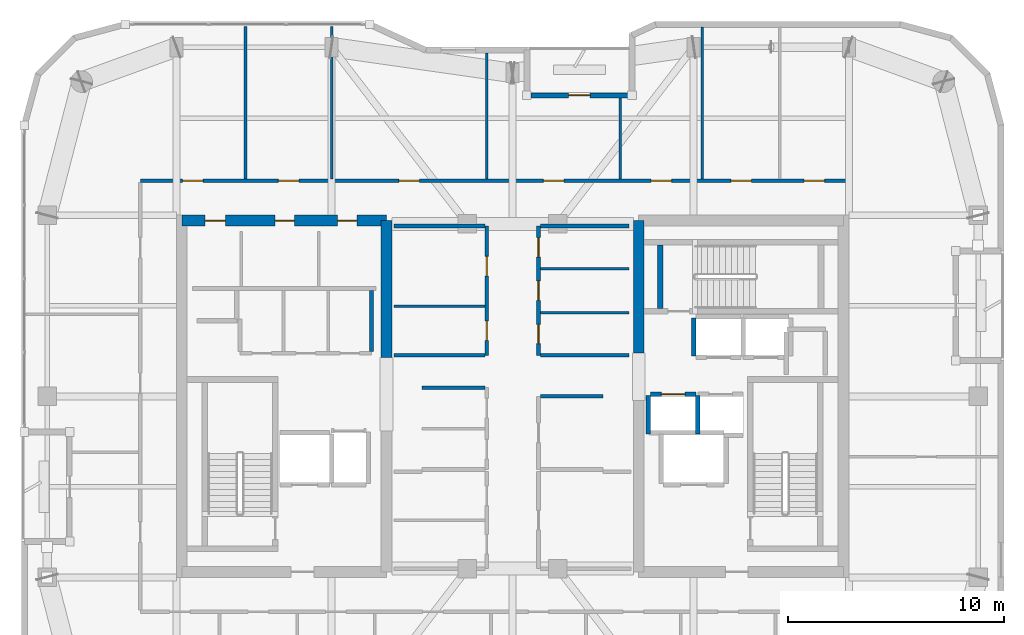
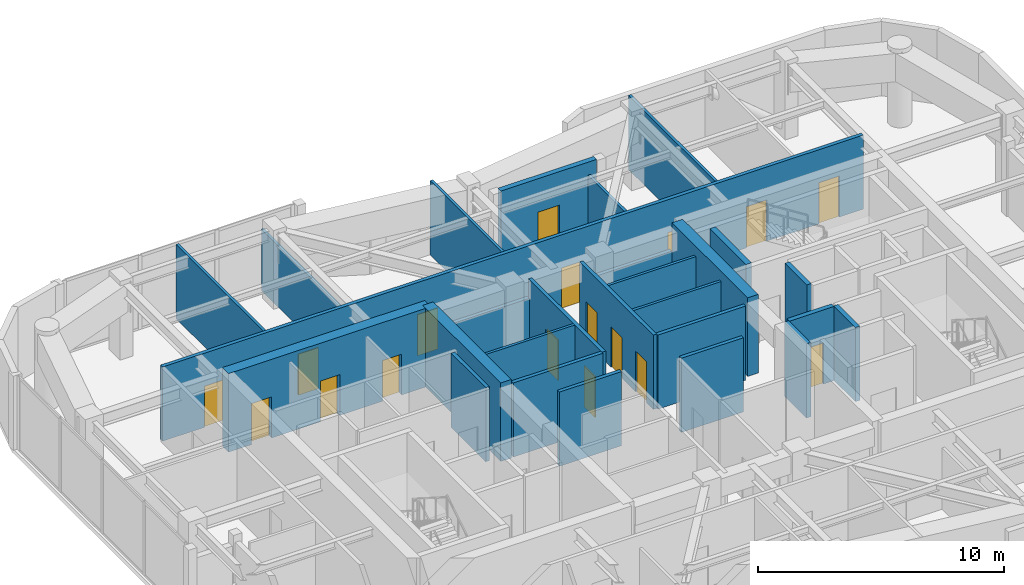
# One storey, part 12 of 16: 27 walls, 17 doors, 17 openings.
"""IFC4 building model written with IfcOpenShell, lengths in metres."""

from ifc_helpers import new_model, si_unit, direction, frame, frame_2d, origin, place, context, subcontext, project, spatial, rectangle, extrude, material, layer, layer_set, type_object, element, fill, save


model = new_model("IFC4")

# Units and contexts
model_context = context("Model", 3, precision=1e-05, world=origin(), true_north=direction((0.0, 1.0)))
body_context = subcontext(model_context, "Body", "Model", "MODEL_VIEW")
ifc_project = project(units=[si_unit("LENGTHUNIT", "METRE"), si_unit("AREAUNIT", "SQUARE_METRE"), si_unit("VOLUMEUNIT", "CUBIC_METRE"), si_unit("PLANEANGLEUNIT", "RADIAN"), si_unit("MASSUNIT", "GRAM", prefix="KILO")], contexts=[model_context])

# Site, building, storey
site_placement = place(None, origin())
site = spatial("IfcSite", under=ifc_project, at=site_placement, CompositionType="ELEMENT")
building_placement = place(site_placement, origin())
building = spatial("IfcBuilding", under=site, at=building_placement, Name="Kiyonajd Concourse Tower", CompositionType="ELEMENT")
storey_placement = place(building_placement, frame((0.0, 0.0, 302.39990234375)))
storey = spatial("IfcBuildingStorey", under=building, at=storey_placement, Name="L76", CompositionType="ELEMENT", Elevation=302.39990234375)

# Wall
ifc_material_1 = material(Name="Concrete C60/75", Category="concrete")
ifc_layer_1 = layer(ifc_material_1, 0.5)
ifc_layer_set_1 = layer_set([ifc_layer_1], Name="Concrete C60/75")
wall_type_1 = type_object("IfcWallType", Name="WL-CORE-500", PredefinedType="SHEAR", material=ifc_layer_set_1)
wall_1_placement = place(storey_placement, frame((42.14990234375, 37.800048828125, 0.0), z_axis=(0.0, 0.0, 1.0), x_axis=(0.0, 1.0, 0.0)))
element("IfcWall", 1, at=wall_1_placement, inside=storey, type_object=wall_type_1, Name="L76 West Core Inner North Shear Wall", PredefinedType="SHEAR", context=body_context, shape_type="SweptSolid", body=[
    extrude(rectangle(XDim=6.349853515625, YDim=0.5, at=frame_2d((3.1748046875, 0.0))), origin(), (0.0, 0.0, 1.0), 3.900146484375),
])

# Wall, openings, doors
wall_2_placement = place(storey_placement, frame((32.64990234375, 44.14990234375, 0.0), z_axis=(0.0, 0.0, 1.0), x_axis=(1.0, 0.0, 0.0)))
wall_2 = element("IfcWall", 2, at=wall_2_placement, inside=storey, type_object=wall_type_1, Name="L76 West Core North Shear Wall", PredefinedType="SHEAR", context=body_context, shape_type="SweptSolid", body=[
    extrude(rectangle(XDim=9.5, YDim=0.5, at=frame_2d((4.75, 0.0))), origin(), (0.0, 0.0, 1.0), 3.900146484375),
])
opening_1_placement = place(wall_2_placement, frame((1.074951171875, 0.0, 0.0)))
opening_1 = element("IfcOpeningElement", 3, at=opening_1_placement, cuts=wall_2, Name="Opening DI1", PredefinedType="OPENING", context=body_context, shape_type="SweptSolid", body=[
    extrude(rectangle(XDim=0.949951171875, YDim=2.0400390625, at=frame_2d((0.47509765625, 1.02001953125))), frame((0.0, 0.260009765625, 0.0), z_axis=(0.0, -1.0, 0.0), x_axis=(1.0, 0.0, 0.0)), (0.0, 0.0, 1.0), 0.52001953125),
])
opening_2_placement = place(wall_2_placement, frame((4.324951171875, 0.0, 0.0)))
opening_2 = element("IfcOpeningElement", 4, at=opening_2_placement, cuts=wall_2, Name="Opening DI2", PredefinedType="OPENING", context=body_context, shape_type="SweptSolid", body=[
    extrude(rectangle(XDim=0.89990234375, YDim=2.02001953125, at=frame_2d((0.449951171875, 1.010009765625))), frame((0.0, 0.260009765625, 0.0), z_axis=(0.0, -1.0, 0.0), x_axis=(1.0, 0.0, 0.0)), (0.0, 0.0, 1.0), 0.52001953125),
])
opening_3_placement = place(wall_2_placement, frame((7.22509765625, 0.0, 0.0)))
opening_3 = element("IfcOpeningElement", 5, at=opening_3_placement, cuts=wall_2, Name="Opening DI2", PredefinedType="OPENING", context=body_context, shape_type="SweptSolid", body=[
    extrude(rectangle(XDim=0.89990234375, YDim=2.02001953125, at=frame_2d((0.449951171875, 1.010009765625))), frame((0.0, 0.260009765625, 0.0), z_axis=(0.0, -1.0, 0.0), x_axis=(1.0, 0.0, 0.0)), (0.0, 0.0, 1.0), 0.52001953125),
])
ifc_material_2 = material(Name="Natural Oak Acoustic Timber Veneer", Category="wood")
door_type_1 = type_object("IfcDoorType", Name="DR-INT-900", OperationType="NOTDEFINED", PredefinedType="DOOR", material=ifc_material_2)
door_1_placement = place(opening_2_placement, origin())
door_1 = element("IfcDoor", 6, at=door_1_placement, inside=storey, type_object=door_type_1, Name="L76 Male Restroom Door", OperationType="SINGLE_SWING_RIGHT", OverallHeight=2.02001953125, OverallWidth=0.89990234375, PredefinedType="DOOR", context=body_context, shape_type="SweptSolid", body=[
    extrude(rectangle(XDim=0.89990234375, YDim=2.02001953125, at=frame_2d((0.449951171875, 1.010009765625))), frame((0.0, 0.02490234375, 0.0), z_axis=(0.0, -1.0, 0.0), x_axis=(1.0, 0.0, 0.0)), (0.0, 0.0, 1.0), 0.050048828125),
])
fill(opening_2, door_1)
door_2_placement = place(opening_3_placement, origin())
door_2 = element("IfcDoor", 7, at=door_2_placement, inside=storey, type_object=door_type_1, Name="L76 Female Restroom Door", OperationType="SINGLE_SWING_LEFT", OverallHeight=2.02001953125, OverallWidth=0.89990234375, PredefinedType="DOOR", context=body_context, shape_type="SweptSolid", body=[
    extrude(rectangle(XDim=0.89990234375, YDim=2.02001953125, at=frame_2d((0.449951171875, 1.010009765625))), frame((0.0, 0.02490234375, 0.0), z_axis=(0.0, -1.0, 0.0), x_axis=(1.0, 0.0, 0.0)), (0.0, 0.0, 1.0), 0.050048828125),
])
fill(opening_3, door_2)
door_type_2 = type_object("IfcDoorType", Name="DR-INT-950", OperationType="NOTDEFINED", PredefinedType="DOOR", material=ifc_material_2)
door_3_placement = place(opening_1_placement, origin())
door_3 = element("IfcDoor", 8, at=door_3_placement, inside=storey, type_object=door_type_2, Name="L76 Single User Accessible WC Door", OperationType="SINGLE_SWING_LEFT", OverallHeight=2.0400390625, OverallWidth=0.949951171875, PredefinedType="DOOR", context=body_context, shape_type="SweptSolid", body=[
    extrude(rectangle(XDim=0.949951171875, YDim=2.0400390625, at=frame_2d((0.47509765625, 1.02001953125))), frame((0.0, 0.02490234375, 0.0), z_axis=(0.0, -1.0, 0.0), x_axis=(1.0, 0.0, 0.0)), (0.0, 0.0, 1.0), 0.050048828125),
])
fill(opening_1, door_3)

# Wall
wall_3_placement = place(storey_placement, frame((53.85009765625, 38.0, 0.0), z_axis=(0.0, 0.0, 1.0), x_axis=(0.0, 1.0, 0.0)))
element("IfcWall", 9, at=wall_3_placement, inside=storey, type_object=wall_type_1, Name="L76 East Core Inner North Shear Wall", PredefinedType="SHEAR", context=body_context, shape_type="SweptSolid", body=[
    extrude(rectangle(XDim=6.14990234375, YDim=0.5, at=frame_2d((3.074951171875, 0.0))), origin(), (0.0, 0.0, 1.0), 3.900146484375),
])

# Wall, opening, door
ifc_material_3 = material(Name="Precast concrete C50/60", Category="concrete")
ifc_layer_2 = layer(ifc_material_3, 0.239990234375)
ifc_layer_set_2 = layer_set([ifc_layer_2], Name="Precast concrete C50/60")
wall_type_2 = type_object("IfcWallType", Name="WL-LOG-240", PredefinedType="SOLIDWALL", material=ifc_layer_set_2)
wall_4_placement = place(storey_placement, frame((48.85498046875, 49.9599609375, 0.0), z_axis=(0.0, 0.0, 1.0), x_axis=(1.0, 0.0, 0.0)))
wall_4 = element("IfcWall", 10, at=wall_4_placement, inside=storey, type_object=wall_type_2, Name="L76 Recessed Loggia Thermal Wall LOG-N", PredefinedType="SOLIDWALL", context=body_context, shape_type="SweptSolid", body=[
    extrude(rectangle(XDim=4.489990234375, YDim=0.239990234375, at=frame_2d((2.2451171875, 0.0))), origin(), (0.0, 0.0, 1.0), 3.68017578125),
])
opening_4_placement = place(wall_4_placement, frame((1.7451171875, 0.0, 0.0)))
opening_4 = element("IfcOpeningElement", 11, at=opening_4_placement, cuts=wall_4, Name="Opening DL1", PredefinedType="OPENING", context=body_context, shape_type="SweptSolid", body=[
    extrude(rectangle(XDim=1.0, YDim=2.02001953125, at=frame_2d((0.5, 1.010009765625))), frame((0.0, 0.1298828125, 0.0), z_axis=(0.0, -1.0, 0.0), x_axis=(1.0, 0.0, 0.0)), (0.0, 0.0, 1.0), 0.260009765625),
])
ifc_material_4 = material(Name="Thermally Broken Anodised Aluminium", Category="aluminium")
door_type_3 = type_object("IfcDoorType", Name="DR-LOG-1000", OperationType="NOTDEFINED", PredefinedType="DOOR", material=ifc_material_4)
door_4_placement = place(opening_4_placement, origin())
door_4 = element("IfcDoor", 12, at=door_4_placement, inside=storey, type_object=door_type_3, Name="L76 Engawa Loggia Access Door LOG-N", OperationType="SINGLE_SWING_RIGHT", OverallHeight=2.02001953125, OverallWidth=1.0, PredefinedType="DOOR", context=body_context, shape_type="SweptSolid", body=[
    extrude(rectangle(XDim=1.0, YDim=2.02001953125, at=frame_2d((0.5, 1.010009765625))), frame((0.0, 0.02490234375, 0.0), z_axis=(0.0, -1.0, 0.0), x_axis=(1.0, 0.0, 0.0)), (0.0, 0.0, 1.0), 0.050048828125),
])
fill(opening_4, door_4)

# Walls
ifc_material_5 = material(Name="Gypsum Board on Cold-Formed Steel Stud", Category="steel")
ifc_layer_3 = layer(ifc_material_5, 0.125)
ifc_layer_set_3 = layer_set([ifc_layer_3], Name="Gypsum Board on Cold-Formed Steel Stud")
wall_type_3 = type_object("IfcWallType", Name="WL-PART-125", PredefinedType="PARTITIONING", material=ifc_layer_set_3)
wall_5_placement = place(storey_placement, frame((42.5, 40.179931640625, 0.0), z_axis=(0.0, 0.0, 1.0), x_axis=(1.0, 0.0, 0.0)))
element("IfcWall", 13, at=wall_5_placement, inside=storey, type_object=wall_type_3, Name="L76 Interior Partition Wall", PredefinedType="PARTITIONING", context=body_context, shape_type="SweptSolid", body=[
    extrude(rectangle(XDim=4.212890625, YDim=0.125, at=frame_2d((2.1064453125, 0.0))), origin(), (0.0, 0.0, 1.0), 3.68017578125),
])
for number, where, z_axis, x_axis, name in (
    (14, (49.287109375, 39.8798828125, 0.0), (0.0, 0.0, 1.0), (1.0, 0.0, 0.0), "L76 Interior Partition Wall"),
    (15, (49.287109375, 41.919921875, 0.0), (0.0, 0.0, 1.0), (1.0, 0.0, 0.0), "L76 Interior Partition Wall"),
):
    element("IfcWall", number, at=place(storey_placement, frame(where, z_axis=z_axis, x_axis=x_axis)), inside=storey, type_object=wall_type_3, Name=name, PredefinedType="PARTITIONING", context=body_context, shape_type="SweptSolid", body=[
        extrude(rectangle(XDim=4.11279296875, YDim=0.125, at=frame_2d((2.056396484375, 0.0))), origin(), (0.0, 0.0, 1.0), 3.68017578125),
    ])
wall_6_placement = place(storey_placement, frame((35.60009765625, 46.0869140625, 0.0), z_axis=(0.0, 0.0, 1.0), x_axis=(0.0, 1.0, 0.0)))
element("IfcWall", 16, at=wall_6_placement, inside=storey, type_object=wall_type_3, Name="L76 Interior Partition Wall", PredefinedType="PARTITIONING", context=body_context, shape_type="SweptSolid", body=[
    extrude(rectangle(XDim=7.078125, YDim=0.125, at=frame_2d((3.5390625, 0.0))), origin(), (0.0, 0.0, 1.0), 3.68017578125),
])
wall_7_placement = place(storey_placement, frame((39.60009765625, 46.0869140625, 0.0), z_axis=(0.0, 0.0, 1.0), x_axis=(0.0, 1.0, 0.0)))
element("IfcWall", 17, at=wall_7_placement, inside=storey, type_object=wall_type_3, Name="L76 Interior Partition Wall", PredefinedType="PARTITIONING", context=body_context, shape_type="SweptSolid", body=[
    extrude(rectangle(XDim=7.078125, YDim=0.125, at=frame_2d((3.5390625, 0.0))), origin(), (0.0, 0.0, 1.0), 3.043212890625),
])
wall_8_placement = place(storey_placement, frame((46.800048828125, 46.0869140625, 0.0), z_axis=(0.0, 0.0, 1.0), x_axis=(0.0, 1.0, 0.0)))
element("IfcWall", 18, at=wall_8_placement, inside=storey, type_object=wall_type_3, Name="L76 Interior Partition Wall", PredefinedType="PARTITIONING", context=body_context, shape_type="SweptSolid", body=[
    extrude(rectangle(XDim=5.838134765625, YDim=0.125, at=frame_2d((2.9189453125, 0.0))), origin(), (0.0, 0.0, 1.0), 3.68017578125),
])
wall_9_placement = place(storey_placement, frame((53.0, 46.0869140625, 0.0), z_axis=(0.0, 0.0, 1.0), x_axis=(0.0, 1.0, 0.0)))
element("IfcWall", 19, at=wall_9_placement, inside=storey, type_object=wall_type_3, Name="L76 Interior Partition Wall", PredefinedType="PARTITIONING", context=body_context, shape_type="SweptSolid", body=[
    extrude(rectangle(XDim=3.758056640625, YDim=0.125, at=frame_2d((1.87890625, 0.0))), origin(), (0.0, 0.0, 1.0), 3.043212890625),
])
wall_10_placement = place(storey_placement, frame((56.800048828125, 46.0869140625, 0.0), z_axis=(0.0, 0.0, 1.0), x_axis=(0.0, 1.0, 0.0)))
element("IfcWall", 20, at=wall_10_placement, inside=storey, type_object=wall_type_3, Name="L76 Interior Partition Wall", PredefinedType="PARTITIONING", context=body_context, shape_type="SweptSolid", body=[
    extrude(rectangle(XDim=7.0380859375, YDim=0.125, at=frame_2d((3.51904296875, 0.0))), origin(), (0.0, 0.0, 1.0), 3.68017578125),
])

# Wall, opening, door
ifc_layer_4 = layer(ifc_material_5, 0.2099609375)
ifc_layer_set_4 = layer_set([ifc_layer_4], Name="Gypsum Board on Cold-Formed Steel Stud")
wall_type_4 = type_object("IfcWallType", Name="WL-SHAFT-210", PredefinedType="PARTITIONING", material=ifc_layer_set_4)
wall_11_placement = place(storey_placement, frame((54.39990234375, 36.10009765625, 0.0), z_axis=(0.0, 0.0, 1.0), x_axis=(1.0, 0.0, 0.0)))
wall_11 = element("IfcWall", 21, at=wall_11_placement, inside=storey, type_object=wall_type_4, Name="L76 Shaft Enclosure Wall", PredefinedType="PARTITIONING", context=body_context, shape_type="SweptSolid", body=[
    extrude(rectangle(XDim=2.10009765625, YDim=0.2099609375, at=frame_2d((1.050048828125, 0.0))), origin(), (0.0, 0.0, 1.0), 3.68017578125),
])
opening_5_placement = place(wall_11_placement, frame((0.5, 0.0, 0.0)))
opening_5 = element("IfcOpeningElement", 22, at=opening_5_placement, cuts=wall_11, Name="Opening LD1", PredefinedType="OPENING", context=body_context, shape_type="SweptSolid", body=[
    extrude(rectangle(XDim=1.10009765625, YDim=2.0400390625, at=frame_2d((0.550048828125, 1.02001953125))), frame((0.0, 0.114990234375, 0.0), z_axis=(0.0, -1.0, 0.0), x_axis=(1.0, 0.0, 0.0)), (0.0, 0.0, 1.0), 0.22998046875),
])
ifc_material_6 = material(Name="Brushed Stainless Steel Cab Assembly", Category="steel")
door_type_4 = type_object("IfcDoorType", Name="DR-LD-1100", OperationType="DOUBLE_DOOR_SLIDING", PredefinedType="DOOR", material=ifc_material_6)
door_5_placement = place(opening_5_placement, origin())
door_5 = element("IfcDoor", 23, at=door_5_placement, inside=storey, type_object=door_type_4, Name="L76 Lift PL-H1 Sliding Landing Door", OperationType="DOUBLE_DOOR_SLIDING", OverallHeight=2.0400390625, OverallWidth=1.10009765625, PredefinedType="DOOR", context=body_context, shape_type="SweptSolid", body=[
    extrude(rectangle(XDim=1.10009765625, YDim=2.0400390625, at=frame_2d((0.550048828125, 1.02001953125))), frame((0.0, 0.02490234375, 0.0), z_axis=(0.0, -1.0, 0.0), x_axis=(1.0, 0.0, 0.0)), (0.0, 0.0, 1.0), 0.050048828125),
])
fill(opening_5, door_5)

# Walls
for number, where, z_axis, x_axis, name in (
    (24, (54.300048828125, 34.260009765625, 0.0), (0.0, 0.0, 1.0), (0.0, 1.0, 0.0), "L76 Shaft Enclosure Wall"),
    (25, (56.60009765625, 34.260009765625, 0.0), (0.0, 0.0, 1.0), (0.0, 1.0, 0.0), "L76 Shaft Enclosure Wall"),
):
    element("IfcWall", number, at=place(storey_placement, frame(where, z_axis=z_axis, x_axis=x_axis)), inside=storey, type_object=wall_type_4, Name=name, PredefinedType="PARTITIONING", context=body_context, shape_type="SweptSolid", body=[
        extrude(rectangle(XDim=1.780029296875, YDim=0.2099609375, at=frame_2d((0.89013671875, 0.0))), origin(), (0.0, 0.0, 1.0), 3.68017578125),
    ])
wall_12_placement = place(storey_placement, frame((56.39990234375, 37.860107421875, 0.0), z_axis=(0.0, 0.0, 1.0), x_axis=(0.0, 1.0, 0.0)))
element("IfcWall", 26, at=wall_12_placement, inside=storey, type_object=wall_type_4, Name="L76 Shaft Enclosure Wall", PredefinedType="PARTITIONING", context=body_context, shape_type="SweptSolid", body=[
    extrude(rectangle(XDim=1.77978515625, YDim=0.2099609375, at=frame_2d((0.889892578125, 0.0))), origin(), (0.0, 0.0, 1.0), 3.68017578125),
])
ifc_layer_5 = layer(ifc_material_5, 0.169921875)
ifc_layer_set_5 = layer_set([ifc_layer_5], Name="Gypsum Board on Cold-Formed Steel Stud")
wall_type_5 = type_object("IfcWallType", Name="WL-SMK-170", PredefinedType="PARTITIONING", material=ifc_layer_set_5)
wall_13_placement = place(storey_placement, frame((41.449951171875, 38.0869140625, 0.0), z_axis=(0.0, 0.0, 1.0), x_axis=(0.0, 1.0, 0.0)))
element("IfcWall", 27, at=wall_13_placement, inside=storey, type_object=wall_type_5, Name="L76 Interior Partition Wall", PredefinedType="PARTITIONING", context=body_context, shape_type="SweptSolid", body=[
    extrude(rectangle(XDim=2.81298828125, YDim=0.169921875, at=frame_2d((1.406494140625, 0.0))), origin(), (0.0, 0.0, 1.0), 3.68017578125),
])
for number, where, z_axis, x_axis, name in (
    (28, (43.800048828125, 36.39990234375, 0.0), (0.0, 0.0, 1.0), (1.0, 0.0, 0.0), "L76 Interior Partition Wall"),
    (29, (49.287109375, 36.0, 0.0), (0.0, 0.0, 1.0), (1.0, 0.0, 0.0), "L76 Interior Partition Wall"),
):
    element("IfcWall", number, at=place(storey_placement, frame(where, z_axis=z_axis, x_axis=x_axis)), inside=storey, type_object=wall_type_5, Name=name, PredefinedType="PARTITIONING", context=body_context, shape_type="SweptSolid", body=[
        extrude(rectangle(XDim=2.912841796875, YDim=0.169921875, at=frame_2d((1.45654296875, 0.0))), origin(), (0.0, 0.0, 1.0), 3.68017578125),
    ])

# Wall, openings, doors
wall_14_placement = place(storey_placement, frame((46.800048828125, 37.89990234375, 0.0), z_axis=(0.0, 0.0, 1.0), x_axis=(0.0, 1.0, 0.0)))
wall_14 = element("IfcWall", 30, at=wall_14_placement, inside=storey, type_object=wall_type_5, Name="L76 Interior Partition Wall", PredefinedType="PARTITIONING", context=body_context, shape_type="SweptSolid", body=[
    extrude(rectangle(XDim=6.0, YDim=0.169921875, at=frame_2d((3.0, 0.0))), origin(), (0.0, 0.0, 1.0), 3.68017578125),
])
opening_6_placement = place(wall_14_placement, frame((0.68994140625, 0.0, 0.0)))
opening_6 = element("IfcOpeningElement", 31, at=opening_6_placement, cuts=wall_14, Name="Opening DI2", PredefinedType="OPENING", context=body_context, shape_type="SweptSolid", body=[
    extrude(rectangle(XDim=0.89990234375, YDim=2.02001953125, at=frame_2d((0.449951171875, 1.010009765625))), frame((0.0, 0.094970703125, 0.0), z_axis=(0.0, -1.0, 0.0), x_axis=(1.0, 0.0, 0.0)), (0.0, 0.0, 1.0), 0.18994140625),
])
opening_7_placement = place(wall_14_placement, frame((3.68994140625, 0.0, 0.0)))
opening_7 = element("IfcOpeningElement", 32, at=opening_7_placement, cuts=wall_14, Name="Opening DI2", PredefinedType="OPENING", context=body_context, shape_type="SweptSolid", body=[
    extrude(rectangle(XDim=0.89990234375, YDim=2.02001953125, at=frame_2d((0.449951171875, 1.010009765625))), frame((0.0, 0.094970703125, 0.0), z_axis=(0.0, -1.0, 0.0), x_axis=(1.0, 0.0, 0.0)), (0.0, 0.0, 1.0), 0.18994140625),
])
door_6_placement = place(opening_6_placement, origin())
door_6 = element("IfcDoor", 33, at=door_6_placement, inside=storey, type_object=door_type_1, Name="L76 Interior Door", OperationType="SINGLE_SWING_RIGHT", OverallHeight=2.02001953125, OverallWidth=0.89990234375, PredefinedType="DOOR", context=body_context, shape_type="SweptSolid", body=[
    extrude(rectangle(XDim=0.89990234375, YDim=2.02001953125, at=frame_2d((0.449951171875, 1.010009765625))), frame((0.0, 0.02490234375, 0.0), z_axis=(0.0, -1.0, 0.0), x_axis=(1.0, 0.0, 0.0)), (0.0, 0.0, 1.0), 0.050048828125),
])
fill(opening_6, door_6)
door_7_placement = place(opening_7_placement, origin())
door_7 = element("IfcDoor", 34, at=door_7_placement, inside=storey, type_object=door_type_1, Name="L76 Interior Door", OperationType="SINGLE_SWING_LEFT", OverallHeight=2.02001953125, OverallWidth=0.89990234375, PredefinedType="DOOR", context=body_context, shape_type="SweptSolid", body=[
    extrude(rectangle(XDim=0.89990234375, YDim=2.02001953125, at=frame_2d((0.449951171875, 1.010009765625))), frame((0.0, 0.02490234375, 0.0), z_axis=(0.0, -1.0, 0.0), x_axis=(1.0, 0.0, 0.0)), (0.0, 0.0, 1.0), 0.050048828125),
])
fill(opening_7, door_7)

# Walls
wall_15_placement = place(storey_placement, frame((42.5, 37.89990234375, 0.0), z_axis=(0.0, 0.0, 1.0), x_axis=(1.0, 0.0, 0.0)))
element("IfcWall", 35, at=wall_15_placement, inside=storey, type_object=wall_type_5, Name="L76 Interior Partition Wall", PredefinedType="PARTITIONING", context=body_context, shape_type="SweptSolid", body=[
    extrude(rectangle(XDim=4.212890625, YDim=0.169921875, at=frame_2d((2.1064453125, 0.0))), origin(), (0.0, 0.0, 1.0), 3.68017578125),
])
wall_16_placement = place(storey_placement, frame((42.5, 43.89990234375, 0.0), z_axis=(0.0, 0.0, 1.0), x_axis=(1.0, 0.0, 0.0)))
element("IfcWall", 36, at=wall_16_placement, inside=storey, type_object=wall_type_5, Name="L76 Interior Partition Wall", PredefinedType="PARTITIONING", context=body_context, shape_type="SweptSolid", body=[
    extrude(rectangle(XDim=4.212890625, YDim=0.169921875, at=frame_2d((2.1064453125, 0.0))), origin(), (0.0, 0.0, 1.0), 2.76513671875),
])

# Wall, openings, doors
wall_17_placement = place(storey_placement, frame((49.199951171875, 37.89990234375, 0.0), z_axis=(0.0, 0.0, 1.0), x_axis=(0.0, 1.0, 0.0)))
wall_17 = element("IfcWall", 37, at=wall_17_placement, inside=storey, type_object=wall_type_5, Name="L76 Interior Partition Wall", PredefinedType="PARTITIONING", context=body_context, shape_type="SweptSolid", body=[
    extrude(rectangle(XDim=6.0, YDim=0.169921875, at=frame_2d((3.0, 0.0))), origin(), (0.0, 0.0, 1.0), 3.68017578125),
])
opening_8_placement = place(wall_17_placement, frame((0.5400390625, 0.0, 0.0)))
opening_8 = element("IfcOpeningElement", 38, at=opening_8_placement, cuts=wall_17, Name="Opening DI2", PredefinedType="OPENING", context=body_context, shape_type="SweptSolid", body=[
    extrude(rectangle(XDim=0.89990234375, YDim=2.02001953125, at=frame_2d((0.449951171875, 1.010009765625))), frame((0.0, 0.094970703125, 0.0), z_axis=(0.0, -1.0, 0.0), x_axis=(1.0, 0.0, 0.0)), (0.0, 0.0, 1.0), 0.18994140625),
])
opening_9_placement = place(wall_17_placement, frame((2.550048828125, 0.0, 0.0)))
opening_9 = element("IfcOpeningElement", 39, at=opening_9_placement, cuts=wall_17, Name="Opening DI2", PredefinedType="OPENING", context=body_context, shape_type="SweptSolid", body=[
    extrude(rectangle(XDim=0.89990234375, YDim=2.02001953125, at=frame_2d((0.449951171875, 1.010009765625))), frame((0.0, 0.094970703125, 0.0), z_axis=(0.0, -1.0, 0.0), x_axis=(1.0, 0.0, 0.0)), (0.0, 0.0, 1.0), 0.18994140625),
])
opening_10_placement = place(wall_17_placement, frame((4.56005859375, 0.0, 0.0)))
opening_10 = element("IfcOpeningElement", 40, at=opening_10_placement, cuts=wall_17, Name="Opening DI2", PredefinedType="OPENING", context=body_context, shape_type="SweptSolid", body=[
    extrude(rectangle(XDim=0.89990234375, YDim=2.02001953125, at=frame_2d((0.449951171875, 1.010009765625))), frame((0.0, 0.094970703125, 0.0), z_axis=(0.0, -1.0, 0.0), x_axis=(1.0, 0.0, 0.0)), (0.0, 0.0, 1.0), 0.18994140625),
])
door_8_placement = place(opening_8_placement, origin())
door_8 = element("IfcDoor", 41, at=door_8_placement, inside=storey, type_object=door_type_1, Name="L76 Interior Door", OperationType="SINGLE_SWING_RIGHT", OverallHeight=2.02001953125, OverallWidth=0.89990234375, PredefinedType="DOOR", context=body_context, shape_type="SweptSolid", body=[
    extrude(rectangle(XDim=0.89990234375, YDim=2.02001953125, at=frame_2d((0.449951171875, 1.010009765625))), frame((0.0, 0.02490234375, 0.0), z_axis=(0.0, -1.0, 0.0), x_axis=(1.0, 0.0, 0.0)), (0.0, 0.0, 1.0), 0.050048828125),
])
fill(opening_8, door_8)
door_9_placement = place(opening_9_placement, origin())
door_9 = element("IfcDoor", 42, at=door_9_placement, inside=storey, type_object=door_type_1, Name="L76 Interior Door", OperationType="SINGLE_SWING_LEFT", OverallHeight=2.02001953125, OverallWidth=0.89990234375, PredefinedType="DOOR", context=body_context, shape_type="SweptSolid", body=[
    extrude(rectangle(XDim=0.89990234375, YDim=2.02001953125, at=frame_2d((0.449951171875, 1.010009765625))), frame((0.0, 0.02490234375, 0.0), z_axis=(0.0, -1.0, 0.0), x_axis=(1.0, 0.0, 0.0)), (0.0, 0.0, 1.0), 0.050048828125),
])
fill(opening_9, door_9)
door_10_placement = place(opening_10_placement, origin())
door_10 = element("IfcDoor", 43, at=door_10_placement, inside=storey, type_object=door_type_1, Name="L76 Interior Door", OperationType="SINGLE_SWING_RIGHT", OverallHeight=2.02001953125, OverallWidth=0.89990234375, PredefinedType="DOOR", context=body_context, shape_type="SweptSolid", body=[
    extrude(rectangle(XDim=0.89990234375, YDim=2.02001953125, at=frame_2d((0.449951171875, 1.010009765625))), frame((0.0, 0.02490234375, 0.0), z_axis=(0.0, -1.0, 0.0), x_axis=(1.0, 0.0, 0.0)), (0.0, 0.0, 1.0), 0.050048828125),
])
fill(opening_10, door_10)

# Walls
wall_18_placement = place(storey_placement, frame((49.287109375, 37.89990234375, 0.0), z_axis=(0.0, 0.0, 1.0), x_axis=(1.0, 0.0, 0.0)))
element("IfcWall", 44, at=wall_18_placement, inside=storey, type_object=wall_type_5, Name="L76 Interior Partition Wall", PredefinedType="PARTITIONING", context=body_context, shape_type="SweptSolid", body=[
    extrude(rectangle(XDim=4.11279296875, YDim=0.169921875, at=frame_2d((2.056396484375, 0.0))), origin(), (0.0, 0.0, 1.0), 3.68017578125),
])
wall_19_placement = place(storey_placement, frame((49.287109375, 43.89990234375, 0.0), z_axis=(0.0, 0.0, 1.0), x_axis=(1.0, 0.0, 0.0)))
element("IfcWall", 45, at=wall_19_placement, inside=storey, type_object=wall_type_5, Name="L76 Interior Partition Wall", PredefinedType="PARTITIONING", context=body_context, shape_type="SweptSolid", body=[
    extrude(rectangle(XDim=4.11279296875, YDim=0.169921875, at=frame_2d((2.056396484375, 0.0))), origin(), (0.0, 0.0, 1.0), 2.76513671875),
])

# Wall, openings, doors
wall_20_placement = place(storey_placement, frame((30.72509765625, 46.0, 0.0), z_axis=(0.0, 0.0, 1.0), x_axis=(1.0, 0.0, 0.0)))
wall_20 = element("IfcWall", 46, at=wall_20_placement, inside=storey, type_object=wall_type_5, Name="L76 Interior Partition Wall", PredefinedType="PARTITIONING", context=body_context, shape_type="SweptSolid", body=[
    extrude(rectangle(XDim=32.875, YDim=0.169921875, at=frame_2d((16.4375, 0.0))), origin(), (0.0, 0.0, 1.0), 3.68017578125),
])
opening_11_placement = place(wall_20_placement, frame((1.9619140625, 0.0, 0.0)))
opening_11 = element("IfcOpeningElement", 47, at=opening_11_placement, cuts=wall_20, Name="Opening DI1", PredefinedType="OPENING", context=body_context, shape_type="SweptSolid", body=[
    extrude(rectangle(XDim=0.949951171875, YDim=2.0400390625, at=frame_2d((0.47509765625, 1.02001953125))), frame((0.0, 0.094970703125, 0.0), z_axis=(0.0, -1.0, 0.0), x_axis=(1.0, 0.0, 0.0)), (0.0, 0.0, 1.0), 0.18994140625),
])
opening_12_placement = place(wall_20_placement, frame((6.39990234375, 0.0, 0.0)))
opening_12 = element("IfcOpeningElement", 48, at=opening_12_placement, cuts=wall_20, Name="Opening DI1", PredefinedType="OPENING", context=body_context, shape_type="SweptSolid", body=[
    extrude(rectangle(XDim=0.949951171875, YDim=2.0400390625, at=frame_2d((0.47509765625, 1.02001953125))), frame((0.0, 0.094970703125, 0.0), z_axis=(0.0, -1.0, 0.0), x_axis=(1.0, 0.0, 0.0)), (0.0, 0.0, 1.0), 0.18994140625),
])
opening_13_placement = place(wall_20_placement, frame((12.0, 0.0, 0.0)))
opening_13 = element("IfcOpeningElement", 49, at=opening_13_placement, cuts=wall_20, Name="Opening DI1", PredefinedType="OPENING", context=body_context, shape_type="SweptSolid", body=[
    extrude(rectangle(XDim=0.949951171875, YDim=2.0400390625, at=frame_2d((0.47509765625, 1.02001953125))), frame((0.0, 0.094970703125, 0.0), z_axis=(0.0, -1.0, 0.0), x_axis=(1.0, 0.0, 0.0)), (0.0, 0.0, 1.0), 0.18994140625),
])
opening_14_placement = place(wall_20_placement, frame((18.699951171875, 0.0, 0.0)))
opening_14 = element("IfcOpeningElement", 50, at=opening_14_placement, cuts=wall_20, Name="Opening DI1", PredefinedType="OPENING", context=body_context, shape_type="SweptSolid", body=[
    extrude(rectangle(XDim=0.949951171875, YDim=2.0400390625, at=frame_2d((0.47509765625, 1.02001953125))), frame((0.0, 0.094970703125, 0.0), z_axis=(0.0, -1.0, 0.0), x_axis=(1.0, 0.0, 0.0)), (0.0, 0.0, 1.0), 0.18994140625),
])
opening_15_placement = place(wall_20_placement, frame((23.699951171875, 0.0, 0.0)))
opening_15 = element("IfcOpeningElement", 51, at=opening_15_placement, cuts=wall_20, Name="Opening DI1", PredefinedType="OPENING", context=body_context, shape_type="SweptSolid", body=[
    extrude(rectangle(XDim=0.949951171875, YDim=2.0400390625, at=frame_2d((0.47509765625, 1.02001953125))), frame((0.0, 0.094970703125, 0.0), z_axis=(0.0, -1.0, 0.0), x_axis=(1.0, 0.0, 0.0)), (0.0, 0.0, 1.0), 0.18994140625),
])
opening_16_placement = place(wall_20_placement, frame((27.39990234375, 0.0, 0.0)))
opening_16 = element("IfcOpeningElement", 52, at=opening_16_placement, cuts=wall_20, Name="Opening DI1", PredefinedType="OPENING", context=body_context, shape_type="SweptSolid", body=[
    extrude(rectangle(XDim=0.949951171875, YDim=2.0400390625, at=frame_2d((0.47509765625, 1.02001953125))), frame((0.0, 0.094970703125, 0.0), z_axis=(0.0, -1.0, 0.0), x_axis=(1.0, 0.0, 0.0)), (0.0, 0.0, 1.0), 0.18994140625),
])
opening_17_placement = place(wall_20_placement, frame((30.800048828125, 0.0, 0.0)))
opening_17 = element("IfcOpeningElement", 53, at=opening_17_placement, cuts=wall_20, Name="Opening DI1", PredefinedType="OPENING", context=body_context, shape_type="SweptSolid", body=[
    extrude(rectangle(XDim=0.949951171875, YDim=2.0400390625, at=frame_2d((0.47509765625, 1.02001953125))), frame((0.0, 0.094970703125, 0.0), z_axis=(0.0, -1.0, 0.0), x_axis=(1.0, 0.0, 0.0)), (0.0, 0.0, 1.0), 0.18994140625),
])
door_11_placement = place(opening_11_placement, origin())
door_11 = element("IfcDoor", 54, at=door_11_placement, inside=storey, type_object=door_type_2, Name="L76 Interior Door", OperationType="SINGLE_SWING_RIGHT", OverallHeight=2.0400390625, OverallWidth=0.949951171875, PredefinedType="DOOR", context=body_context, shape_type="SweptSolid", body=[
    extrude(rectangle(XDim=0.949951171875, YDim=2.0400390625, at=frame_2d((0.47509765625, 1.02001953125))), frame((0.0, 0.02490234375, 0.0), z_axis=(0.0, -1.0, 0.0), x_axis=(1.0, 0.0, 0.0)), (0.0, 0.0, 1.0), 0.050048828125),
])
fill(opening_11, door_11)
door_12_placement = place(opening_12_placement, origin())
door_12 = element("IfcDoor", 55, at=door_12_placement, inside=storey, type_object=door_type_2, Name="L76 Interior Door", OperationType="SINGLE_SWING_LEFT", OverallHeight=2.0400390625, OverallWidth=0.949951171875, PredefinedType="DOOR", context=body_context, shape_type="SweptSolid", body=[
    extrude(rectangle(XDim=0.949951171875, YDim=2.0400390625, at=frame_2d((0.47509765625, 1.02001953125))), frame((0.0, 0.02490234375, 0.0), z_axis=(0.0, -1.0, 0.0), x_axis=(1.0, 0.0, 0.0)), (0.0, 0.0, 1.0), 0.050048828125),
])
fill(opening_12, door_12)
door_13_placement = place(opening_13_placement, origin())
door_13 = element("IfcDoor", 56, at=door_13_placement, inside=storey, type_object=door_type_2, Name="L76 Interior Door", OperationType="SINGLE_SWING_RIGHT", OverallHeight=2.0400390625, OverallWidth=0.949951171875, PredefinedType="DOOR", context=body_context, shape_type="SweptSolid", body=[
    extrude(rectangle(XDim=0.949951171875, YDim=2.0400390625, at=frame_2d((0.47509765625, 1.02001953125))), frame((0.0, 0.02490234375, 0.0), z_axis=(0.0, -1.0, 0.0), x_axis=(1.0, 0.0, 0.0)), (0.0, 0.0, 1.0), 0.050048828125),
])
fill(opening_13, door_13)
door_14_placement = place(opening_14_placement, origin())
door_14 = element("IfcDoor", 57, at=door_14_placement, inside=storey, type_object=door_type_2, Name="L76 Interior Door", OperationType="SINGLE_SWING_LEFT", OverallHeight=2.0400390625, OverallWidth=0.949951171875, PredefinedType="DOOR", context=body_context, shape_type="SweptSolid", body=[
    extrude(rectangle(XDim=0.949951171875, YDim=2.0400390625, at=frame_2d((0.47509765625, 1.02001953125))), frame((0.0, 0.02490234375, 0.0), z_axis=(0.0, -1.0, 0.0), x_axis=(1.0, 0.0, 0.0)), (0.0, 0.0, 1.0), 0.050048828125),
])
fill(opening_14, door_14)
door_15_placement = place(opening_15_placement, origin())
door_15 = element("IfcDoor", 58, at=door_15_placement, inside=storey, type_object=door_type_2, Name="L76 Interior Door", OperationType="SINGLE_SWING_RIGHT", OverallHeight=2.0400390625, OverallWidth=0.949951171875, PredefinedType="DOOR", context=body_context, shape_type="SweptSolid", body=[
    extrude(rectangle(XDim=0.949951171875, YDim=2.0400390625, at=frame_2d((0.47509765625, 1.02001953125))), frame((0.0, 0.02490234375, 0.0), z_axis=(0.0, -1.0, 0.0), x_axis=(1.0, 0.0, 0.0)), (0.0, 0.0, 1.0), 0.050048828125),
])
fill(opening_15, door_15)
door_16_placement = place(opening_16_placement, origin())
door_16 = element("IfcDoor", 59, at=door_16_placement, inside=storey, type_object=door_type_2, Name="L76 Interior Door", OperationType="SINGLE_SWING_LEFT", OverallHeight=2.0400390625, OverallWidth=0.949951171875, PredefinedType="DOOR", context=body_context, shape_type="SweptSolid", body=[
    extrude(rectangle(XDim=0.949951171875, YDim=2.0400390625, at=frame_2d((0.47509765625, 1.02001953125))), frame((0.0, 0.02490234375, 0.0), z_axis=(0.0, -1.0, 0.0), x_axis=(1.0, 0.0, 0.0)), (0.0, 0.0, 1.0), 0.050048828125),
])
fill(opening_16, door_16)
door_17_placement = place(opening_17_placement, origin())
door_17 = element("IfcDoor", 60, at=door_17_placement, inside=storey, type_object=door_type_2, Name="L76 Interior Door", OperationType="SINGLE_SWING_RIGHT", OverallHeight=2.0400390625, OverallWidth=0.949951171875, PredefinedType="DOOR", context=body_context, shape_type="SweptSolid", body=[
    extrude(rectangle(XDim=0.949951171875, YDim=2.0400390625, at=frame_2d((0.47509765625, 1.02001953125))), frame((0.0, 0.02490234375, 0.0), z_axis=(0.0, -1.0, 0.0), x_axis=(1.0, 0.0, 0.0)), (0.0, 0.0, 1.0), 0.050048828125),
])
fill(opening_17, door_17)

# Wall
ifc_material_7 = material(Name="Concrete C50/60", Category="concrete")
ifc_layer_6 = layer(ifc_material_7, 0.260009765625)
ifc_layer_set_6 = layer_set([ifc_layer_6], Name="Concrete C50/60")
wall_type_6 = type_object("IfcWallType", Name="WL-STAIR-260", PredefinedType="SHEAR", material=ifc_layer_set_6)
wall_21_placement = place(storey_placement, frame((54.85009765625, 40.080078125, 0.0), z_axis=(0.0, 0.0, 1.0), x_axis=(0.0, 1.0, 0.0)))
element("IfcWall", 61, at=wall_21_placement, inside=storey, type_object=wall_type_6, Name="L76 Stair ST3 Structural West Wall", PredefinedType="SHEAR", context=body_context, shape_type="SweptSolid", body=[
    extrude(rectangle(XDim=2.93994140625, YDim=0.260009765625, at=frame_2d((1.469970703125, 0.0))), origin(), (0.0, 0.0, 1.0), 3.900146484375),
])

save(model, "model.ifc")
